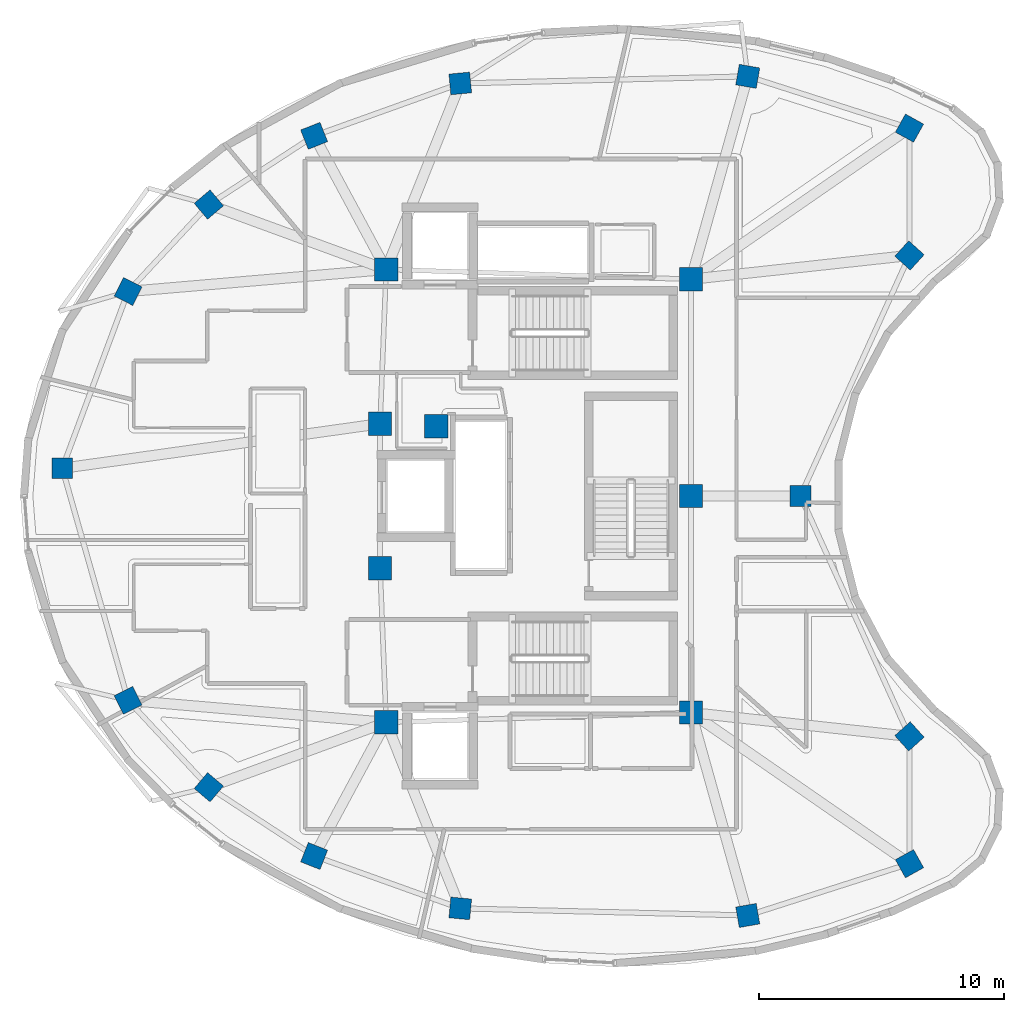
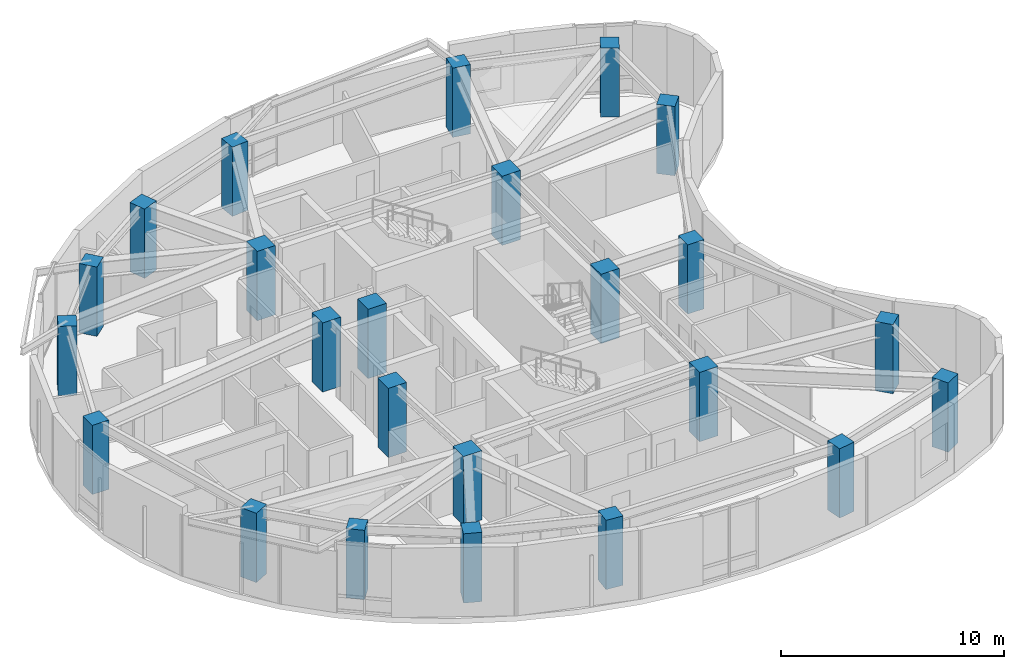
# One storey, part 1 of 12: 24 columns.
"""IFC4 building model written with IfcOpenShell, lengths in metres."""

from ifc_helpers import new_model, si_unit, direction, frame, origin, origin_2d, place, context, subcontext, project, spatial, rectangle, extrude, material, material_profile, profile_set, type_object, element, save


model = new_model("IFC4")

# Units and contexts
model_context = context("Model", 3, precision=1e-05, world=origin(), true_north=direction((0.0, 1.0)))
body_context = subcontext(model_context, "Body", "Model", "MODEL_VIEW")
ifc_project = project(units=[si_unit("LENGTHUNIT", "METRE"), si_unit("AREAUNIT", "SQUARE_METRE"), si_unit("VOLUMEUNIT", "CUBIC_METRE"), si_unit("PLANEANGLEUNIT", "RADIAN"), si_unit("MASSUNIT", "GRAM", prefix="KILO")], contexts=[model_context])

# Site, building, storey
site_placement = place(None, origin())
site = spatial("IfcSite", under=ifc_project, at=site_placement, CompositionType="ELEMENT")
building_placement = place(site_placement, origin())
building = spatial("IfcBuilding", under=site, at=building_placement, Name="Korentha Bioscience Tower", CompositionType="ELEMENT")
storey_placement = place(building_placement, frame((0.0, 0.0, 282.60009765625)))
storey = spatial("IfcBuildingStorey", under=building, at=storey_placement, Name="L65", CompositionType="ELEMENT", Elevation=282.60009765625)

# Columns
ifc_material_1 = material(Name="Concrete C65", Category="concrete")
ifc_material_profile_1 = material_profile(ifc_material_1, rectangle(XDim=0.949951171875, YDim=0.949951171875, at=origin_2d()), Name="Concrete C65")
ifc_profile_set_1 = profile_set([ifc_material_profile_1], Name="Concrete C65 (COL-CP09)")
column_type_1 = type_object("IfcColumnType", Name="Core Pilaster Column RC 950x950", PredefinedType="PILASTER", material=ifc_profile_set_1)
for number, where, z_axis, x_axis, name in (
    (1, (37.550048828125, 35.85009765625, -0.00048828125), (0.0, 0.0, 1.0), (1.0, 0.0, 0.0), "L65 Core Pilaster CP-01"),
    (2, (25.10009765625, 36.25, -0.00048828125), (0.0, 0.0, 1.0), (1.0, 0.0, 0.0), "L65 Core Pilaster CP-02"),
    (3, (24.85009765625, 29.949951171875, -0.00048828125), (0.0, 0.0, 1.0), (1.0, 0.0, 0.0), "L65 Core Pilaster CP-03"),
    (4, (27.14990234375, 29.85009765625, -0.00048828125), (0.0, 0.0, 1.0), (1.0, 0.0, 0.0), "L65 Core Pilaster CP-04"),
    (5, (24.85009765625, 24.050048828125, -0.00048828125), (0.0, 0.0, 1.0), (1.0, 0.0, 0.0), "L65 Core Pilaster CP-05"),
    (6, (25.10009765625, 17.75, -0.00048828125), (0.0, 0.0, 1.0), (1.0, 0.0, 0.0), "L65 Core Pilaster CP-06"),
    (7, (37.550048828125, 18.14990234375, -0.00048828125), (0.0, 0.0, 1.0), (1.0, 0.0, 0.0), "L65 Core Pilaster CP-07"),
    (8, (37.550048828125, 27.0, -0.00048828125), (0.0, 0.0, 1.0), (1.0, 0.0, 0.0), "L65 Core Pilaster CP-08"),
):
    element("IfcColumn", number, at=place(storey_placement, frame(where, z_axis=z_axis, x_axis=x_axis)), inside=storey, type_object=column_type_1, Name=name, PredefinedType="PILASTER", context=body_context, shape_type="SweptSolid", body=[
        extrude(rectangle(XDim=0.949951171875, YDim=0.949951171875, at=origin_2d()), origin(), (0.0, 0.0, 1.0), 3.790771484375),
    ])
ifc_material_2 = material(Name="Concrete C50", Category="concrete")
ifc_material_profile_2 = material_profile(ifc_material_2, rectangle(XDim=0.85009765625, YDim=0.85009765625, at=origin_2d()), Name="Concrete C50")
ifc_profile_set_2 = profile_set([ifc_material_profile_2], Name="Concrete C50 (COL-P08)")
column_type_2 = type_object("IfcColumnType", Name="Perimeter Column RC 850x850", PredefinedType="COLUMN", material=ifc_profile_set_2)
for number, where, z_axis, x_axis, name in (
    (9, (46.476318359375, 42.022705078125, -0.00048828125), (0.0, 0.0, 1.0), (-0.874535078577, 0.484962262797, 0.0), "L65 Perimeter Column 01"),
    (10, (39.869140625, 44.13818359375, -0.00048828125), (0.0, 0.0, 1.0), (-0.984868307662, 0.173304404339, 0.0), "L65 Perimeter Column 02"),
    (11, (28.125732421875, 43.848876953125, -0.00048828125), (0.0, 0.0, 1.0), (0.995462868748, 0.095150811579, 0.0), "L65 Perimeter Column 03"),
    (12, (22.156982421875, 41.709228515625, -0.00048828125), (0.0, 0.0, 1.0), (0.930225540858, 0.366988341962, 0.0), "L65 Perimeter Column 04"),
    (13, (17.85498046875, 38.90087890625, -0.00048828125), (0.0, 0.0, 1.0), (0.764246456939, 0.644924300253, 0.0), "L65 Perimeter Column 05"),
    (14, (14.556884765625, 35.35107421875, -0.00048828125), (0.0, 0.0, 1.0), (0.453057191132, 0.891481453292, 0.0), "L65 Perimeter Column 06"),
    (15, (11.869384765625, 28.129150390625, -0.00048828125), (0.0, 0.0, 1.0), (0.0, 1.0, 0.0), "L65 Perimeter Column 07"),
    (16, (14.556884765625, 18.64892578125, -0.00048828125), (0.0, 0.0, 1.0), (-0.453057191132, 0.891481453292, 0.0), "L65 Perimeter Column 08"),
    (17, (17.85498046875, 15.09912109375, -0.00048828125), (0.0, 0.0, 1.0), (-0.764246456939, 0.644924300253, 0.0), "L65 Perimeter Column 09"),
    (18, (22.156982421875, 12.290771484375, -0.00048828125), (0.0, 0.0, 1.0), (-0.930225540858, 0.366988341962, 0.0), "L65 Perimeter Column 10"),
    (19, (28.125732421875, 10.151123046875, -0.00048828125), (0.0, 0.0, 1.0), (-0.995462868748, 0.095150811579, 0.0), "L65 Perimeter Column 11"),
    (20, (39.869140625, 9.86181640625, -0.00048828125), (0.0, 0.0, 1.0), (0.984868307662, 0.173304404339, 0.0), "L65 Perimeter Column 12"),
    (21, (46.476318359375, 11.977294921875, -0.00048828125), (0.0, 0.0, 1.0), (0.874535078577, 0.484962262797, 0.0), "L65 Perimeter Column 13"),
    (22, (46.474609375, 17.177490234375, -0.00048828125), (0.0, 0.0, 1.0), (-0.669130606359, 0.743144825477, 0.0), "L65 Perimeter Column 14"),
    (23, (42.020263671875, 27.0, -0.00048828125), (0.0, 0.0, 1.0), (0.0, 1.0, 0.0), "L65 Perimeter Column 15"),
    (24, (46.474609375, 36.822509765625, -0.00048828125), (0.0, 0.0, 1.0), (0.669130606359, 0.743144825477, 0.0), "L65 Perimeter Column 16"),
):
    element("IfcColumn", number, at=place(storey_placement, frame(where, z_axis=z_axis, x_axis=x_axis)), inside=storey, type_object=column_type_2, Name=name, PredefinedType="COLUMN", context=body_context, shape_type="SweptSolid", body=[
        extrude(rectangle(XDim=0.85009765625, YDim=0.85009765625, at=origin_2d()), origin(), (0.0, 0.0, 1.0), 3.790771484375),
    ])

save(model, "model.ifc")
